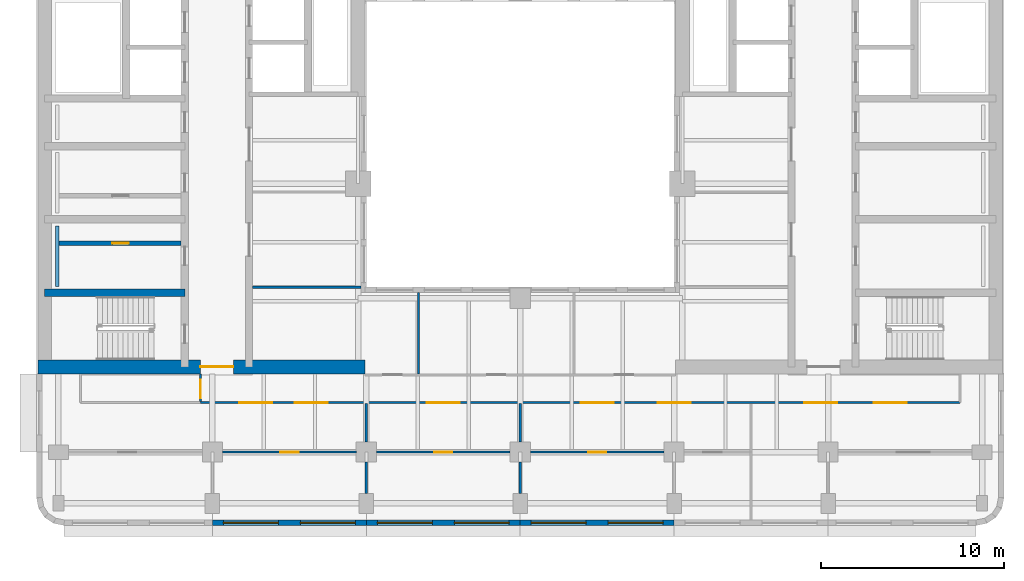
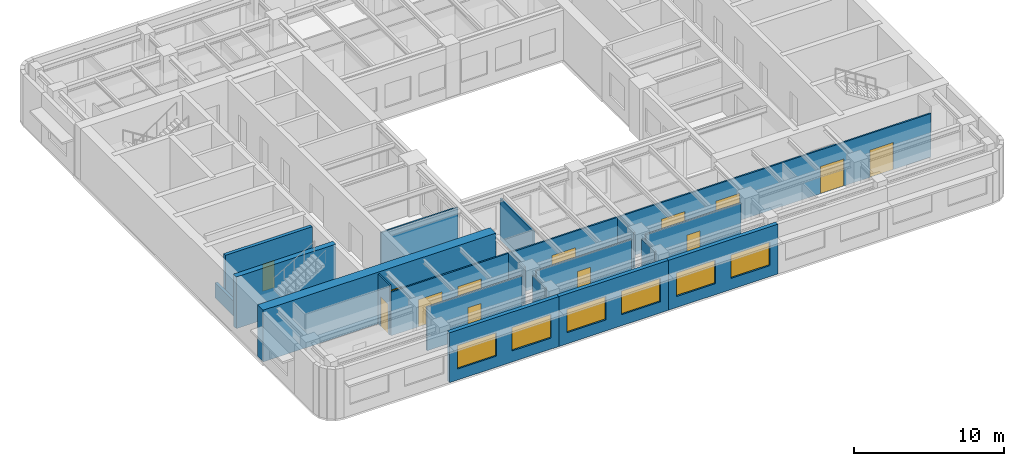
# One storey, part 3 of 12: 18 walls, 13 doors, 6 windows, 19 openings.
"""IFC4 building model written with IfcOpenShell, lengths in metres."""

from ifc_helpers import new_model, si_unit, direction, frame, frame_2d, origin, place, context, subcontext, project, spatial, rectangle, extrude, material, layer, layer_set, type_object, element, fill, save


model = new_model("IFC4")

# Units and contexts
model_context = context("Model", 3, precision=1e-05, world=origin(), true_north=direction((0.0, 1.0)))
body_context = subcontext(model_context, "Body", "Model", "MODEL_VIEW")
ifc_project = project(units=[si_unit("LENGTHUNIT", "METRE"), si_unit("AREAUNIT", "SQUARE_METRE"), si_unit("VOLUMEUNIT", "CUBIC_METRE"), si_unit("PLANEANGLEUNIT", "RADIAN"), si_unit("MASSUNIT", "GRAM", prefix="KILO")], contexts=[model_context])

# Site, building, storey
site_placement = place(None, origin())
site = spatial("IfcSite", under=ifc_project, at=site_placement, CompositionType="ELEMENT")
building_placement = place(site_placement, origin())
building = spatial("IfcBuilding", under=site, at=building_placement, Name="Claustro Exchange Tower", CompositionType="ELEMENT")
storey_placement = place(building_placement, frame((0.0, 0.0, 223.800048828125)))
storey = spatial("IfcBuildingStorey", under=building, at=storey_placement, Name="L51", CompositionType="ELEMENT", Elevation=223.800048828125)

# Wall
ifc_material_1 = material(Name="Laminated glass in aluminium frame", Category="aluminium")
ifc_layer_1 = layer(ifc_material_1, 0.1201171875)
ifc_layer_set_1 = layer_set([ifc_layer_1], Name="Laminated glass in aluminium frame")
wall_type_1 = type_object("IfcWallType", Name="P2 120 glazed partition", PredefinedType="PARTITIONING", material=ifc_layer_set_1)
wall_1_placement = place(storey_placement, frame((10.597900390625, 17.39990234375, 0.0), z_axis=(0.0, 0.0, 1.0), x_axis=(1.0, 0.0, 0.0)))
element("IfcWall", 1, at=wall_1_placement, inside=storey, type_object=wall_type_1, Name="Partition P2 L51", PredefinedType="PARTITIONING", context=body_context, shape_type="SweptSolid", body=[
    extrude(rectangle(XDim=5.904052734375, YDim=0.1201171875, at=frame_2d((2.9521484375, 0.0))), origin(), (0.0, 0.0, 1.0), 3.550048828125),
])

# Wall, opening, door
wall_2_placement = place(storey_placement, frame((8.948974609375, 8.39990234375, 0.0), z_axis=(0.0, 0.0, 1.0), x_axis=(1.0, 0.0, 0.0)))
wall_2 = element("IfcWall", 2, at=wall_2_placement, inside=storey, type_object=wall_type_1, Name="Partition P2 L51", PredefinedType="PARTITIONING", context=body_context, shape_type="SweptSolid", body=[
    extrude(rectangle(XDim=7.302001953125, YDim=0.1201171875, at=frame_2d((3.65087890625, 0.0))), origin(), (0.0, 0.0, 1.0), 3.550048828125),
])
opening_1_placement = place(wall_2_placement, frame((3.15087890625, 0.0, 0.0)))
opening_1 = element("IfcOpeningElement", 3, at=opening_1_placement, cuts=wall_2, Name="Opening D7", PredefinedType="OPENING", context=body_context, shape_type="SweptSolid", body=[
    extrude(rectangle(XDim=1.0, YDim=2.39990234375, at=frame_2d((0.5, 1.199951171875))), frame((0.0, 0.070068359375, 0.0), z_axis=(0.0, -1.0, 0.0), x_axis=(1.0, 0.0, 0.0)), (0.0, 0.0, 1.0), 0.14013671875),
])
ifc_material_2 = material(Name="Glass door in aluminium frame", Category="aluminium")
door_type_1 = type_object("IfcDoorType", Name="D7 1000 x 2400 glazed door", OperationType="SINGLE_SWING_LEFT", PredefinedType="DOOR", material=ifc_material_2)
door_1_placement = place(opening_1_placement, frame((1.0, 0.0, 0.0), z_axis=(0.0, 0.0, 1.0), x_axis=(-1.0, 0.0, 0.0)))
door_1 = element("IfcDoor", 4, at=door_1_placement, inside=storey, type_object=door_type_1, Name="Door D7 L51", OperationType="SINGLE_SWING_RIGHT", OverallHeight=2.39990234375, OverallWidth=1.0, PredefinedType="DOOR", context=body_context, shape_type="SweptSolid", body=[
    extrude(rectangle(XDim=1.0, YDim=2.39990234375, at=frame_2d((0.5, 1.199951171875))), frame((0.0, 0.02490234375, 0.0), z_axis=(0.0, -1.0, 0.0), x_axis=(1.0, 0.0, 0.0)), (0.0, 0.0, 1.0), 0.050048828125),
])
fill(opening_1, door_1)

wall_3_placement = place(storey_placement, frame((17.34912109375, 8.39990234375, 0.0), z_axis=(0.0, 0.0, 1.0), x_axis=(1.0, 0.0, 0.0)))
wall_3 = element("IfcWall", 5, at=wall_3_placement, inside=storey, type_object=wall_type_1, Name="Partition P2 L51", PredefinedType="PARTITIONING", context=body_context, shape_type="SweptSolid", body=[
    extrude(rectangle(XDim=7.3017578125, YDim=0.1201171875, at=frame_2d((3.65087890625, 0.0))), origin(), (0.0, 0.0, 1.0), 3.550048828125),
])
opening_2_placement = place(wall_3_placement, frame((3.15087890625, 0.0, 0.0)))
opening_2 = element("IfcOpeningElement", 6, at=opening_2_placement, cuts=wall_3, Name="Opening D7", PredefinedType="OPENING", context=body_context, shape_type="SweptSolid", body=[
    extrude(rectangle(XDim=1.0, YDim=2.39990234375, at=frame_2d((0.5, 1.199951171875))), frame((0.0, 0.070068359375, 0.0), z_axis=(0.0, -1.0, 0.0), x_axis=(1.0, 0.0, 0.0)), (0.0, 0.0, 1.0), 0.14013671875),
])
door_2_placement = place(opening_2_placement, origin())
door_2 = element("IfcDoor", 7, at=door_2_placement, inside=storey, type_object=door_type_1, Name="Door D7 L51", OperationType="SINGLE_SWING_LEFT", OverallHeight=2.39990234375, OverallWidth=1.0, PredefinedType="DOOR", context=body_context, shape_type="SweptSolid", body=[
    extrude(rectangle(XDim=1.0, YDim=2.39990234375, at=frame_2d((0.5, 1.199951171875))), frame((0.0, 0.02490234375, 0.0), z_axis=(0.0, -1.0, 0.0), x_axis=(1.0, 0.0, 0.0)), (0.0, 0.0, 1.0), 0.050048828125),
])
fill(opening_2, door_2)

wall_4_placement = place(storey_placement, frame((25.7490234375, 8.39990234375, 0.0), z_axis=(0.0, 0.0, 1.0), x_axis=(1.0, 0.0, 0.0)))
wall_4 = element("IfcWall", 8, at=wall_4_placement, inside=storey, type_object=wall_type_1, Name="Partition P2 L51", PredefinedType="PARTITIONING", context=body_context, shape_type="SweptSolid", body=[
    extrude(rectangle(XDim=7.302001953125, YDim=0.1201171875, at=frame_2d((3.65087890625, 0.0))), origin(), (0.0, 0.0, 1.0), 3.550048828125),
])
opening_3_placement = place(wall_4_placement, frame((3.15087890625, 0.0, 0.0)))
opening_3 = element("IfcOpeningElement", 9, at=opening_3_placement, cuts=wall_4, Name="Opening D7", PredefinedType="OPENING", context=body_context, shape_type="SweptSolid", body=[
    extrude(rectangle(XDim=1.0, YDim=2.39990234375, at=frame_2d((0.5, 1.199951171875))), frame((0.0, 0.070068359375, 0.0), z_axis=(0.0, -1.0, 0.0), x_axis=(1.0, 0.0, 0.0)), (0.0, 0.0, 1.0), 0.14013671875),
])
door_3_placement = place(opening_3_placement, frame((1.0, 0.0, 0.0), z_axis=(0.0, 0.0, 1.0), x_axis=(-1.0, 0.0, 0.0)))
door_3 = element("IfcDoor", 10, at=door_3_placement, inside=storey, type_object=door_type_1, Name="Door D7 L51", OperationType="SINGLE_SWING_RIGHT", OverallHeight=2.39990234375, OverallWidth=1.0, PredefinedType="DOOR", context=body_context, shape_type="SweptSolid", body=[
    extrude(rectangle(XDim=1.0, YDim=2.39990234375, at=frame_2d((0.5, 1.199951171875))), frame((0.0, 0.02490234375, 0.0), z_axis=(0.0, -1.0, 0.0), x_axis=(1.0, 0.0, 0.0)), (0.0, 0.0, 1.0), 0.050048828125),
])
fill(opening_3, door_3)

# Walls
for number, where, z_axis, x_axis, name in (
    (11, (16.800048828125, 6.14892578125, 0.0), (0.0, 0.0, 1.0), (0.0, 1.0, 0.0), "Partition P2 L51"),
    (12, (25.199951171875, 6.14892578125, 0.0), (0.0, 0.0, 1.0), (0.0, 1.0, 0.0), "Partition P2 L51"),
):
    element("IfcWall", number, at=place(storey_placement, frame(where, z_axis=z_axis, x_axis=x_axis)), inside=storey, type_object=wall_type_1, Name=name, PredefinedType="PARTITIONING", context=body_context, shape_type="SweptSolid", body=[
        extrude(rectangle(XDim=1.7021484375, YDim=0.1201171875, at=frame_2d((0.85107421875, 0.0))), origin(), (0.0, 0.0, 1.0), 3.68994140625),
    ])
wall_5_placement = place(storey_placement, frame((16.800048828125, 8.948974609375, 0.0), z_axis=(0.0, 0.0, 1.0), x_axis=(0.0, 1.0, 0.0)))
element("IfcWall", 13, at=wall_5_placement, inside=storey, type_object=wall_type_1, Name="Partition P2 L51", PredefinedType="PARTITIONING", context=body_context, shape_type="SweptSolid", body=[
    extrude(rectangle(XDim=2.093017578125, YDim=0.1201171875, at=frame_2d((1.04638671875, 0.0))), origin(), (0.0, 0.0, 1.0), 3.68994140625),
])
wall_6_placement = place(storey_placement, frame((25.199951171875, 8.948974609375, 0.0), z_axis=(0.0, 0.0, 1.0), x_axis=(0.0, 1.0, 0.0)))
element("IfcWall", 14, at=wall_6_placement, inside=storey, type_object=wall_type_1, Name="Partition P2 L51", PredefinedType="PARTITIONING", context=body_context, shape_type="SweptSolid", body=[
    extrude(rectangle(XDim=2.093017578125, YDim=0.1201171875, at=frame_2d((1.04638671875, 0.0))), origin(), (0.0, 0.0, 1.0), 3.550048828125),
])

# Wall, openings, doors
wall_7_placement = place(storey_placement, frame((7.748046875, 11.10009765625, 0.0), z_axis=(0.0, 0.0, 1.0), x_axis=(1.0, 0.0, 0.0)))
wall_7 = element("IfcWall", 15, at=wall_7_placement, inside=storey, type_object=wall_type_1, Name="Partition P2 L51", PredefinedType="PARTITIONING", context=body_context, shape_type="SweptSolid", body=[
    extrude(rectangle(XDim=41.451904296875, YDim=0.1201171875, at=frame_2d((20.72607421875, 0.0))), origin(), (0.0, 0.0, 1.0), 3.550048828125),
])
opening_4_placement = place(wall_7_placement, frame((2.11865234375, 0.0, 0.0)))
opening_4 = element("IfcOpeningElement", 16, at=opening_4_placement, cuts=wall_7, Name="Opening D2", PredefinedType="OPENING", context=body_context, shape_type="SweptSolid", body=[
    extrude(rectangle(XDim=1.800048828125, YDim=2.199951171875, at=frame_2d((0.89990234375, 1.10009765625))), frame((0.0, 0.070068359375, 0.0), z_axis=(0.0, -1.0, 0.0), x_axis=(1.0, 0.0, 0.0)), (0.0, 0.0, 1.0), 0.14013671875),
])
opening_5_placement = place(wall_7_placement, frame((5.13525390625, 0.0, 0.0)))
opening_5 = element("IfcOpeningElement", 17, at=opening_5_placement, cuts=wall_7, Name="Opening D2", PredefinedType="OPENING", context=body_context, shape_type="SweptSolid", body=[
    extrude(rectangle(XDim=1.800048828125, YDim=2.199951171875, at=frame_2d((0.89990234375, 1.10009765625))), frame((0.0, 0.070068359375, 0.0), z_axis=(0.0, -1.0, 0.0), x_axis=(1.0, 0.0, 0.0)), (0.0, 0.0, 1.0), 0.14013671875),
])
opening_6_placement = place(wall_7_placement, frame((12.35205078125, 0.0, 0.0)))
opening_6 = element("IfcOpeningElement", 18, at=opening_6_placement, cuts=wall_7, Name="Opening D2", PredefinedType="OPENING", context=body_context, shape_type="SweptSolid", body=[
    extrude(rectangle(XDim=1.800048828125, YDim=2.199951171875, at=frame_2d((0.89990234375, 1.10009765625))), frame((0.0, 0.070068359375, 0.0), z_axis=(0.0, -1.0, 0.0), x_axis=(1.0, 0.0, 0.0)), (0.0, 0.0, 1.0), 0.14013671875),
])
opening_7_placement = place(wall_7_placement, frame((20.751953125, 0.0, 0.0)))
opening_7 = element("IfcOpeningElement", 19, at=opening_7_placement, cuts=wall_7, Name="Opening D2", PredefinedType="OPENING", context=body_context, shape_type="SweptSolid", body=[
    extrude(rectangle(XDim=1.800048828125, YDim=2.199951171875, at=frame_2d((0.89990234375, 1.10009765625))), frame((0.0, 0.070068359375, 0.0), z_axis=(0.0, -1.0, 0.0), x_axis=(1.0, 0.0, 0.0)), (0.0, 0.0, 1.0), 0.14013671875),
])
opening_8_placement = place(wall_7_placement, frame((24.951904296875, 0.0, 0.0)))
opening_8 = element("IfcOpeningElement", 20, at=opening_8_placement, cuts=wall_7, Name="Opening D2", PredefinedType="OPENING", context=body_context, shape_type="SweptSolid", body=[
    extrude(rectangle(XDim=1.800048828125, YDim=2.199951171875, at=frame_2d((0.89990234375, 1.10009765625))), frame((0.0, 0.070068359375, 0.0), z_axis=(0.0, -1.0, 0.0), x_axis=(1.0, 0.0, 0.0)), (0.0, 0.0, 1.0), 0.14013671875),
])
opening_9_placement = place(wall_7_placement, frame((32.951904296875, 0.0, 0.0)))
opening_9 = element("IfcOpeningElement", 21, at=opening_9_placement, cuts=wall_7, Name="Opening D2", PredefinedType="OPENING", context=body_context, shape_type="SweptSolid", body=[
    extrude(rectangle(XDim=1.800048828125, YDim=2.199951171875, at=frame_2d((0.89990234375, 1.10009765625))), frame((0.0, 0.070068359375, 0.0), z_axis=(0.0, -1.0, 0.0), x_axis=(1.0, 0.0, 0.0)), (0.0, 0.0, 1.0), 0.14013671875),
])
opening_10_placement = place(wall_7_placement, frame((36.751953125, 0.0, 0.0)))
opening_10 = element("IfcOpeningElement", 22, at=opening_10_placement, cuts=wall_7, Name="Opening D2", PredefinedType="OPENING", context=body_context, shape_type="SweptSolid", body=[
    extrude(rectangle(XDim=1.800048828125, YDim=2.199951171875, at=frame_2d((0.89990234375, 1.10009765625))), frame((0.0, 0.070068359375, 0.0), z_axis=(0.0, -1.0, 0.0), x_axis=(1.0, 0.0, 0.0)), (0.0, 0.0, 1.0), 0.14013671875),
])
ifc_material_3 = material(Name="Timber door, oak veneer", Category="wood")
door_type_2 = type_object("IfcDoorType", Name="D2 1800 x 2200 double door", OperationType="DOUBLE_DOOR_SINGLE_SWING", PredefinedType="DOOR", material=ifc_material_3)
door_4_placement = place(opening_4_placement, frame((1.800048828125, 0.0, 0.0), z_axis=(0.0, 0.0, 1.0), x_axis=(-1.0, 0.0, 0.0)))
door_4 = element("IfcDoor", 23, at=door_4_placement, inside=storey, type_object=door_type_2, Name="Double door D2 L51", OperationType="DOUBLE_DOOR_SINGLE_SWING", OverallHeight=2.199951171875, OverallWidth=1.800048828125, PredefinedType="DOOR", context=body_context, shape_type="SweptSolid", body=[
    extrude(rectangle(XDim=1.800048828125, YDim=2.199951171875, at=frame_2d((0.89990234375, 1.10009765625))), frame((0.0, 0.02490234375, 0.0), z_axis=(0.0, -1.0, 0.0), x_axis=(1.0, 0.0, 0.0)), (0.0, 0.0, 1.0), 0.050048828125),
])
fill(opening_4, door_4)
door_5_placement = place(opening_5_placement, frame((1.800048828125, 0.0, 0.0), z_axis=(0.0, 0.0, 1.0), x_axis=(-1.0, 0.0, 0.0)))
door_5 = element("IfcDoor", 24, at=door_5_placement, inside=storey, type_object=door_type_2, Name="Double door D2 L51", OperationType="DOUBLE_DOOR_SINGLE_SWING", OverallHeight=2.199951171875, OverallWidth=1.800048828125, PredefinedType="DOOR", context=body_context, shape_type="SweptSolid", body=[
    extrude(rectangle(XDim=1.800048828125, YDim=2.199951171875, at=frame_2d((0.89990234375, 1.10009765625))), frame((0.0, 0.02490234375, 0.0), z_axis=(0.0, -1.0, 0.0), x_axis=(1.0, 0.0, 0.0)), (0.0, 0.0, 1.0), 0.050048828125),
])
fill(opening_5, door_5)
door_6_placement = place(opening_6_placement, frame((1.800048828125, 0.0, 0.0), z_axis=(0.0, 0.0, 1.0), x_axis=(-1.0, 0.0, 0.0)))
door_6 = element("IfcDoor", 25, at=door_6_placement, inside=storey, type_object=door_type_2, Name="Double door D2 L51", OperationType="DOUBLE_DOOR_SINGLE_SWING", OverallHeight=2.199951171875, OverallWidth=1.800048828125, PredefinedType="DOOR", context=body_context, shape_type="SweptSolid", body=[
    extrude(rectangle(XDim=1.800048828125, YDim=2.199951171875, at=frame_2d((0.89990234375, 1.10009765625))), frame((0.0, 0.02490234375, 0.0), z_axis=(0.0, -1.0, 0.0), x_axis=(1.0, 0.0, 0.0)), (0.0, 0.0, 1.0), 0.050048828125),
])
fill(opening_6, door_6)
door_7_placement = place(opening_7_placement, frame((1.800048828125, 0.0, 0.0), z_axis=(0.0, 0.0, 1.0), x_axis=(-1.0, 0.0, 0.0)))
door_7 = element("IfcDoor", 26, at=door_7_placement, inside=storey, type_object=door_type_2, Name="Double door D2 L51", OperationType="DOUBLE_DOOR_SINGLE_SWING", OverallHeight=2.199951171875, OverallWidth=1.800048828125, PredefinedType="DOOR", context=body_context, shape_type="SweptSolid", body=[
    extrude(rectangle(XDim=1.800048828125, YDim=2.199951171875, at=frame_2d((0.89990234375, 1.10009765625))), frame((0.0, 0.02490234375, 0.0), z_axis=(0.0, -1.0, 0.0), x_axis=(1.0, 0.0, 0.0)), (0.0, 0.0, 1.0), 0.050048828125),
])
fill(opening_7, door_7)
door_8_placement = place(opening_8_placement, frame((1.800048828125, 0.0, 0.0), z_axis=(0.0, 0.0, 1.0), x_axis=(-1.0, 0.0, 0.0)))
door_8 = element("IfcDoor", 27, at=door_8_placement, inside=storey, type_object=door_type_2, Name="Double door D2 L51", OperationType="DOUBLE_DOOR_SINGLE_SWING", OverallHeight=2.199951171875, OverallWidth=1.800048828125, PredefinedType="DOOR", context=body_context, shape_type="SweptSolid", body=[
    extrude(rectangle(XDim=1.800048828125, YDim=2.199951171875, at=frame_2d((0.89990234375, 1.10009765625))), frame((0.0, 0.02490234375, 0.0), z_axis=(0.0, -1.0, 0.0), x_axis=(1.0, 0.0, 0.0)), (0.0, 0.0, 1.0), 0.050048828125),
])
fill(opening_8, door_8)
door_9_placement = place(opening_9_placement, frame((1.800048828125, 0.0, 0.0), z_axis=(0.0, 0.0, 1.0), x_axis=(-1.0, 0.0, 0.0)))
door_9 = element("IfcDoor", 28, at=door_9_placement, inside=storey, type_object=door_type_2, Name="Double door D2 L51", OperationType="DOUBLE_DOOR_SINGLE_SWING", OverallHeight=2.199951171875, OverallWidth=1.800048828125, PredefinedType="DOOR", context=body_context, shape_type="SweptSolid", body=[
    extrude(rectangle(XDim=1.800048828125, YDim=2.199951171875, at=frame_2d((0.89990234375, 1.10009765625))), frame((0.0, 0.02490234375, 0.0), z_axis=(0.0, -1.0, 0.0), x_axis=(1.0, 0.0, 0.0)), (0.0, 0.0, 1.0), 0.050048828125),
])
fill(opening_9, door_9)
door_10_placement = place(opening_10_placement, frame((1.800048828125, 0.0, 0.0), z_axis=(0.0, 0.0, 1.0), x_axis=(-1.0, 0.0, 0.0)))
door_10 = element("IfcDoor", 29, at=door_10_placement, inside=storey, type_object=door_type_2, Name="Double door D2 L51", OperationType="DOUBLE_DOOR_SINGLE_SWING", OverallHeight=2.199951171875, OverallWidth=1.800048828125, PredefinedType="DOOR", context=body_context, shape_type="SweptSolid", body=[
    extrude(rectangle(XDim=1.800048828125, YDim=2.199951171875, at=frame_2d((0.89990234375, 1.10009765625))), frame((0.0, 0.02490234375, 0.0), z_axis=(0.0, -1.0, 0.0), x_axis=(1.0, 0.0, 0.0)), (0.0, 0.0, 1.0), 0.050048828125),
])
fill(opening_10, door_10)

# Wall, opening, door
wall_8_placement = place(storey_placement, frame((7.75, 11.157958984375, 0.0), z_axis=(0.0, 0.0, 1.0), x_axis=(0.0, 1.0, 0.0)))
wall_8 = element("IfcWall", 30, at=wall_8_placement, inside=storey, type_object=wall_type_1, Name="Partition P2 L51", PredefinedType="PARTITIONING", context=body_context, shape_type="SweptSolid", body=[
    extrude(rectangle(XDim=1.51806640625, YDim=0.1201171875, at=frame_2d((0.759033203125, 0.0))), origin(), (0.0, 0.0, 1.0), 4.050048828125),
])
opening_11_placement = place(wall_8_placement, frame((0.19189453125, 0.0, 0.0)))
opening_11 = element("IfcOpeningElement", 31, at=opening_11_placement, cuts=wall_8, Name="Opening D7", PredefinedType="OPENING", context=body_context, shape_type="SweptSolid", body=[
    extrude(rectangle(XDim=1.0, YDim=2.39990234375, at=frame_2d((0.5, 1.199951171875))), frame((0.0, 0.070068359375, 0.0), z_axis=(0.0, -1.0, 0.0), x_axis=(1.0, 0.0, 0.0)), (0.0, 0.0, 1.0), 0.14013671875),
])
door_11_placement = place(opening_11_placement, origin())
door_11 = element("IfcDoor", 32, at=door_11_placement, inside=storey, type_object=door_type_1, Name="Door D7 L51", OperationType="SINGLE_SWING_LEFT", OverallHeight=2.39990234375, OverallWidth=1.0, PredefinedType="DOOR", context=body_context, shape_type="SweptSolid", body=[
    extrude(rectangle(XDim=1.0, YDim=2.39990234375, at=frame_2d((0.5, 1.199951171875))), frame((0.0, 0.02490234375, 0.0), z_axis=(0.0, -1.0, 0.0), x_axis=(1.0, 0.0, 0.0)), (0.0, 0.0, 1.0), 0.050048828125),
])
fill(opening_11, door_11)

# Wall
wall_9_placement = place(storey_placement, frame((19.64990234375, 12.657958984375, 0.0), z_axis=(0.0, 0.0, 1.0), x_axis=(0.0, 1.0, 0.0)))
element("IfcWall", 33, at=wall_9_placement, inside=storey, type_object=wall_type_1, Name="Partition P2 L51", PredefinedType="PARTITIONING", context=body_context, shape_type="SweptSolid", body=[
    extrude(rectangle(XDim=4.444091796875, YDim=0.1201171875, at=frame_2d((2.22216796875, 0.0))), origin(), (0.0, 0.0, 1.0), 3.35986328125),
])

# Wall, opening, door
ifc_material_4 = material(Name="Concrete blockwork, rendered", Category="masonry")
ifc_layer_2 = layer(ifc_material_4, 0.25)
ifc_layer_set_2 = layer_set([ifc_layer_2], Name="Concrete blockwork, rendered")
wall_type_2 = type_object("IfcWallType", Name="P4 250 blockwork wall", PredefinedType="PARTITIONING", material=ifc_layer_set_2)
wall_10_placement = place(storey_placement, frame((0.02490234375, 19.800048828125, 0.0), z_axis=(0.0, 0.0, 1.0), x_axis=(1.0, 0.0, 0.0)))
wall_10 = element("IfcWall", 34, at=wall_10_placement, inside=storey, type_object=wall_type_2, Name="Partition P4 L51", PredefinedType="PARTITIONING", context=body_context, shape_type="SweptSolid", body=[
    extrude(rectangle(XDim=6.675048828125, YDim=0.25, at=frame_2d((3.33740234375, 0.0))), origin(), (0.0, 0.0, 1.0), 4.0),
])
opening_12_placement = place(wall_10_placement, frame((2.91259765625, 0.0, 0.0)))
opening_12 = element("IfcOpeningElement", 35, at=opening_12_placement, cuts=wall_10, Name="Opening D5", PredefinedType="OPENING", context=body_context, shape_type="SweptSolid", body=[
    extrude(rectangle(XDim=0.89990234375, YDim=2.199951171875, at=frame_2d((0.449951171875, 1.10009765625))), frame((0.0, 0.135009765625, 0.0), z_axis=(0.0, -1.0, 0.0), x_axis=(1.0, 0.0, 0.0)), (0.0, 0.0, 1.0), 0.27001953125),
])
ifc_material_5 = material(Name="Steel door, painted", Category="steel")
door_type_3 = type_object("IfcDoorType", Name="D5 900 x 2200 store door", OperationType="SINGLE_SWING_LEFT", PredefinedType="DOOR", material=ifc_material_5)
door_12_placement = place(opening_12_placement, origin())
door_12 = element("IfcDoor", 36, at=door_12_placement, inside=storey, type_object=door_type_3, Name="Store door D5 L51", OperationType="SINGLE_SWING_RIGHT", OverallHeight=2.199951171875, OverallWidth=0.89990234375, PredefinedType="DOOR", context=body_context, shape_type="SweptSolid", body=[
    extrude(rectangle(XDim=0.89990234375, YDim=2.199951171875, at=frame_2d((0.449951171875, 1.10009765625))), frame((0.0, 0.02490234375, 0.0), z_axis=(0.0, -1.0, 0.0), x_axis=(1.0, 0.0, 0.0)), (0.0, 0.0, 1.0), 0.050048828125),
])
fill(opening_12, door_12)

# Wall, openings, windows
ifc_material_6 = material(Name="Concrete HA-40 (C40/50), precast, white cement, acid-etched", Category="concrete")
ifc_layer_3 = layer(ifc_material_6, 0.300048828125)
ifc_layer_set_3 = layer_set([ifc_layer_3], Name="Concrete HA-40 (C40/50), precast, white cement, acid-etched")
wall_type_3 = type_object("IfcWallType", Name="PC1 300 precast concrete pier panel", PredefinedType="SOLIDWALL", material=ifc_layer_set_3)
wall_11_placement = place(storey_placement, frame((33.60009765625, 4.550048828125, 0.0), z_axis=(0.0, 0.0, 1.0), x_axis=(-1.0, 0.0, 0.0)))
wall_11 = element("IfcWall", 37, at=wall_11_placement, inside=storey, type_object=wall_type_3, Name="Precast pier panel PC1 L51", PredefinedType="SOLIDWALL", context=body_context, shape_type="SweptSolid", body=[
    extrude(rectangle(XDim=8.400146484375, YDim=0.300048828125, at=frame_2d((4.2001953125, 0.0))), origin(), (0.0, 0.0, 1.0), 4.050048828125),
])
opening_13_placement = place(wall_11_placement, frame((0.60009765625, 0.0, 0.89990234375)))
opening_13 = element("IfcOpeningElement", 38, at=opening_13_placement, cuts=wall_11, Name="Opening W1", PredefinedType="OPENING", context=body_context, shape_type="SweptSolid", body=[
    extrude(rectangle(XDim=3.0, YDim=1.89990234375, at=frame_2d((1.5, 0.949951171875))), frame((0.0, 0.159912109375, 0.0), z_axis=(0.0, -1.0, 0.0), x_axis=(1.0, 0.0, 0.0)), (0.0, 0.0, 1.0), 0.320068359375),
])
opening_14_placement = place(wall_11_placement, frame((4.800048828125, 0.0, 0.89990234375)))
opening_14 = element("IfcOpeningElement", 39, at=opening_14_placement, cuts=wall_11, Name="Opening W1", PredefinedType="OPENING", context=body_context, shape_type="SweptSolid", body=[
    extrude(rectangle(XDim=3.0, YDim=1.89990234375, at=frame_2d((1.5, 0.949951171875))), frame((0.0, 0.159912109375, 0.0), z_axis=(0.0, -1.0, 0.0), x_axis=(1.0, 0.0, 0.0)), (0.0, 0.0, 1.0), 0.320068359375),
])
ifc_material_7 = material(Name="Aluminium frame, clear double glazing", Category="aluminium")
window_type = type_object("IfcWindowType", Name="W1 3000 x 1900 window", PartitioningType="SINGLE_PANEL", PredefinedType="WINDOW", material=ifc_material_7)
window_1_placement = place(opening_13_placement, origin())
window_1 = element("IfcWindow", 40, at=window_1_placement, inside=storey, type_object=window_type, Name="Window W1 L51", OverallHeight=1.89990234375, OverallWidth=3.0, PartitioningType="SINGLE_PANEL", PredefinedType="WINDOW", context=body_context, shape_type="SweptSolid", body=[
    extrude(rectangle(XDim=3.0, YDim=1.89990234375, at=frame_2d((1.5, 0.949951171875))), frame((0.0, 0.030029296875, 0.0), z_axis=(0.0, -1.0, 0.0), x_axis=(1.0, 0.0, 0.0)), (0.0, 0.0, 1.0), 0.06005859375),
])
fill(opening_13, window_1)
window_2_placement = place(opening_14_placement, origin())
window_2 = element("IfcWindow", 41, at=window_2_placement, inside=storey, type_object=window_type, Name="Window W1 L51", OverallHeight=1.89990234375, OverallWidth=3.0, PartitioningType="SINGLE_PANEL", PredefinedType="WINDOW", context=body_context, shape_type="SweptSolid", body=[
    extrude(rectangle(XDim=3.0, YDim=1.89990234375, at=frame_2d((1.5, 0.949951171875))), frame((0.0, 0.030029296875, 0.0), z_axis=(0.0, -1.0, 0.0), x_axis=(1.0, 0.0, 0.0)), (0.0, 0.0, 1.0), 0.06005859375),
])
fill(opening_14, window_2)

wall_12_placement = place(storey_placement, frame((25.199951171875, 4.550048828125, 0.0), z_axis=(0.0, 0.0, 1.0), x_axis=(-1.0, 0.0, 0.0)))
wall_12 = element("IfcWall", 42, at=wall_12_placement, inside=storey, type_object=wall_type_3, Name="Precast pier panel PC1 L51", PredefinedType="SOLIDWALL", context=body_context, shape_type="SweptSolid", body=[
    extrude(rectangle(XDim=8.39990234375, YDim=0.300048828125, at=frame_2d((4.199951171875, 0.0))), origin(), (0.0, 0.0, 1.0), 4.050048828125),
])
opening_15_placement = place(wall_12_placement, frame((0.60009765625, 0.0, 0.89990234375)))
opening_15 = element("IfcOpeningElement", 43, at=opening_15_placement, cuts=wall_12, Name="Opening W1", PredefinedType="OPENING", context=body_context, shape_type="SweptSolid", body=[
    extrude(rectangle(XDim=3.0, YDim=1.89990234375, at=frame_2d((1.5, 0.949951171875))), frame((0.0, 0.159912109375, 0.0), z_axis=(0.0, -1.0, 0.0), x_axis=(1.0, 0.0, 0.0)), (0.0, 0.0, 1.0), 0.320068359375),
])
opening_16_placement = place(wall_12_placement, frame((4.800048828125, 0.0, 0.89990234375)))
opening_16 = element("IfcOpeningElement", 44, at=opening_16_placement, cuts=wall_12, Name="Opening W1", PredefinedType="OPENING", context=body_context, shape_type="SweptSolid", body=[
    extrude(rectangle(XDim=3.0, YDim=1.89990234375, at=frame_2d((1.5, 0.949951171875))), frame((0.0, 0.159912109375, 0.0), z_axis=(0.0, -1.0, 0.0), x_axis=(1.0, 0.0, 0.0)), (0.0, 0.0, 1.0), 0.320068359375),
])
window_3_placement = place(opening_15_placement, origin())
window_3 = element("IfcWindow", 45, at=window_3_placement, inside=storey, type_object=window_type, Name="Window W1 L51", OverallHeight=1.89990234375, OverallWidth=3.0, PartitioningType="SINGLE_PANEL", PredefinedType="WINDOW", context=body_context, shape_type="SweptSolid", body=[
    extrude(rectangle(XDim=3.0, YDim=1.89990234375, at=frame_2d((1.5, 0.949951171875))), frame((0.0, 0.030029296875, 0.0), z_axis=(0.0, -1.0, 0.0), x_axis=(1.0, 0.0, 0.0)), (0.0, 0.0, 1.0), 0.06005859375),
])
fill(opening_15, window_3)
window_4_placement = place(opening_16_placement, origin())
window_4 = element("IfcWindow", 46, at=window_4_placement, inside=storey, type_object=window_type, Name="Window W1 L51", OverallHeight=1.89990234375, OverallWidth=3.0, PartitioningType="SINGLE_PANEL", PredefinedType="WINDOW", context=body_context, shape_type="SweptSolid", body=[
    extrude(rectangle(XDim=3.0, YDim=1.89990234375, at=frame_2d((1.5, 0.949951171875))), frame((0.0, 0.030029296875, 0.0), z_axis=(0.0, -1.0, 0.0), x_axis=(1.0, 0.0, 0.0)), (0.0, 0.0, 1.0), 0.06005859375),
])
fill(opening_16, window_4)

wall_13_placement = place(storey_placement, frame((16.800048828125, 4.550048828125, 0.0), z_axis=(0.0, 0.0, 1.0), x_axis=(-1.0, 0.0, 0.0)))
wall_13 = element("IfcWall", 47, at=wall_13_placement, inside=storey, type_object=wall_type_3, Name="Precast pier panel PC1 L51", PredefinedType="SOLIDWALL", context=body_context, shape_type="SweptSolid", body=[
    extrude(rectangle(XDim=8.400146484375, YDim=0.300048828125, at=frame_2d((4.2001953125, 0.0))), origin(), (0.0, 0.0, 1.0), 4.050048828125),
])
opening_17_placement = place(wall_13_placement, frame((0.60009765625, 0.0, 0.89990234375)))
opening_17 = element("IfcOpeningElement", 48, at=opening_17_placement, cuts=wall_13, Name="Opening W1", PredefinedType="OPENING", context=body_context, shape_type="SweptSolid", body=[
    extrude(rectangle(XDim=3.0, YDim=1.89990234375, at=frame_2d((1.5, 0.949951171875))), frame((0.0, 0.159912109375, 0.0), z_axis=(0.0, -1.0, 0.0), x_axis=(1.0, 0.0, 0.0)), (0.0, 0.0, 1.0), 0.320068359375),
])
opening_18_placement = place(wall_13_placement, frame((4.800048828125, 0.0, 0.89990234375)))
opening_18 = element("IfcOpeningElement", 49, at=opening_18_placement, cuts=wall_13, Name="Opening W1", PredefinedType="OPENING", context=body_context, shape_type="SweptSolid", body=[
    extrude(rectangle(XDim=3.0, YDim=1.89990234375, at=frame_2d((1.5, 0.949951171875))), frame((0.0, 0.159912109375, 0.0), z_axis=(0.0, -1.0, 0.0), x_axis=(1.0, 0.0, 0.0)), (0.0, 0.0, 1.0), 0.320068359375),
])
window_5_placement = place(opening_17_placement, origin())
window_5 = element("IfcWindow", 50, at=window_5_placement, inside=storey, type_object=window_type, Name="Window W1 L51", OverallHeight=1.89990234375, OverallWidth=3.0, PartitioningType="SINGLE_PANEL", PredefinedType="WINDOW", context=body_context, shape_type="SweptSolid", body=[
    extrude(rectangle(XDim=3.0, YDim=1.89990234375, at=frame_2d((1.5, 0.949951171875))), frame((0.0, 0.030029296875, 0.0), z_axis=(0.0, -1.0, 0.0), x_axis=(1.0, 0.0, 0.0)), (0.0, 0.0, 1.0), 0.06005859375),
])
fill(opening_17, window_5)
window_6_placement = place(opening_18_placement, origin())
window_6 = element("IfcWindow", 51, at=window_6_placement, inside=storey, type_object=window_type, Name="Window W1 L51", OverallHeight=1.89990234375, OverallWidth=3.0, PartitioningType="SINGLE_PANEL", PredefinedType="WINDOW", context=body_context, shape_type="SweptSolid", body=[
    extrude(rectangle(XDim=3.0, YDim=1.89990234375, at=frame_2d((1.5, 0.949951171875))), frame((0.0, 0.030029296875, 0.0), z_axis=(0.0, -1.0, 0.0), x_axis=(1.0, 0.0, 0.0)), (0.0, 0.0, 1.0), 0.06005859375),
])
fill(opening_18, window_6)

# Wall
ifc_material_8 = material(Name="Gypsum board on steel studs, tiled", Category="steel")
ifc_layer_4 = layer(ifc_material_8, 0.199951171875)
ifc_layer_set_4 = layer_set([ifc_layer_4], Name="Gypsum board on steel studs, tiled")
wall_type_4 = type_object("IfcWallType", Name="PW1 200 WC duct wall", PredefinedType="PLUMBINGWALL", material=ifc_layer_set_4)
wall_14_placement = place(storey_placement, frame((-0.074951171875, 17.449951171875, 0.0), z_axis=(0.0, 0.0, 1.0), x_axis=(0.0, 1.0, 0.0)))
element("IfcWall", 52, at=wall_14_placement, inside=storey, type_object=wall_type_4, Name="WC duct wall PW1 L51", PredefinedType="PLUMBINGWALL", context=body_context, shape_type="SweptSolid", body=[
    extrude(rectangle(XDim=3.300048828125, YDim=0.199951171875, at=frame_2d((1.64990234375, 0.0))), origin(), (0.0, 0.0, 1.0), 1.199951171875),
])

# Wall, opening, door
ifc_material_9 = material(Name="Concrete HA-70 (C70/85)", Category="concrete")
ifc_layer_5 = layer(ifc_material_9, 0.75)
ifc_layer_set_5 = layer_set([ifc_layer_5], Name="Concrete HA-70 (C70/85)")
wall_type_5 = type_object("IfcWallType", Name="SW2 750 core shear wall", PredefinedType="SHEAR", material=ifc_layer_set_5)
wall_15_placement = place(storey_placement, frame((-1.125, 13.050048828125, 0.0), z_axis=(0.0, 0.0, 1.0), x_axis=(1.0, 0.0, 0.0)))
wall_15 = element("IfcWall", 53, at=wall_15_placement, inside=storey, type_object=wall_type_5, Name="Core wall SW2 W core S face L51", PredefinedType="SHEAR", context=body_context, shape_type="SweptSolid", body=[
    extrude(rectangle(XDim=17.85009765625, YDim=0.75, at=frame_2d((8.925048828125, 0.0))), origin(), (0.0, 0.0, 1.0), 4.199951171875),
])
opening_19_placement = place(wall_15_placement, frame((8.875, 0.0, 0.0)))
opening_19 = element("IfcOpeningElement", 54, at=opening_19_placement, cuts=wall_15, Name="Opening D3", PredefinedType="OPENING", context=body_context, shape_type="SweptSolid", body=[
    extrude(rectangle(XDim=1.800048828125, YDim=2.39990234375, at=frame_2d((0.89990234375, 1.199951171875))), frame((0.0, 0.385009765625, 0.0), z_axis=(0.0, -1.0, 0.0), x_axis=(1.0, 0.0, 0.0)), (0.0, 0.0, 1.0), 0.77001953125),
])
ifc_material_10 = material(Name="Steel fire door, painted", Category="steel")
door_type_4 = type_object("IfcDoorType", Name="D3 1800 x 2400 fire-rated lobby double door", OperationType="DOUBLE_DOOR_SINGLE_SWING", PredefinedType="DOOR", material=ifc_material_10)
door_13_placement = place(opening_19_placement, origin())
door_13 = element("IfcDoor", 55, at=door_13_placement, inside=storey, type_object=door_type_4, Name="Lift lobby door D3 L51", OperationType="DOUBLE_DOOR_SINGLE_SWING", OverallHeight=2.39990234375, OverallWidth=1.800048828125, PredefinedType="DOOR", context=body_context, shape_type="SweptSolid", body=[
    extrude(rectangle(XDim=1.800048828125, YDim=2.39990234375, at=frame_2d((0.89990234375, 1.199951171875))), frame((0.0, 0.02490234375, 0.0), z_axis=(0.0, -1.0, 0.0), x_axis=(1.0, 0.0, 0.0)), (0.0, 0.0, 1.0), 0.050048828125),
])
fill(opening_19, door_13)

# Wall
ifc_material_11 = material(Name="Concrete HA-50 (C50/60)", Category="concrete")
ifc_layer_6 = layer(ifc_material_11, 0.39990234375)
ifc_layer_set_6 = layer_set([ifc_layer_6], Name="Concrete HA-50 (C50/60)")
wall_type_6 = type_object("IfcWallType", Name="SW4 400 internal core wall", PredefinedType="SHEAR", material=ifc_layer_set_6)
wall_16_placement = place(storey_placement, frame((-0.75, 17.10009765625, 0.0), z_axis=(0.0, 0.0, 1.0), x_axis=(1.0, 0.0, 0.0)))
element("IfcWall", 56, at=wall_16_placement, inside=storey, type_object=wall_type_6, Name="Internal core wall SW4 W core L51", PredefinedType="SHEAR", context=body_context, shape_type="SweptSolid", body=[
    extrude(rectangle(XDim=7.64990234375, YDim=0.39990234375, at=frame_2d((3.824951171875, 0.0))), origin(), (0.0, 0.0, 1.0), 4.199951171875),
])

save(model, "model.ifc")
